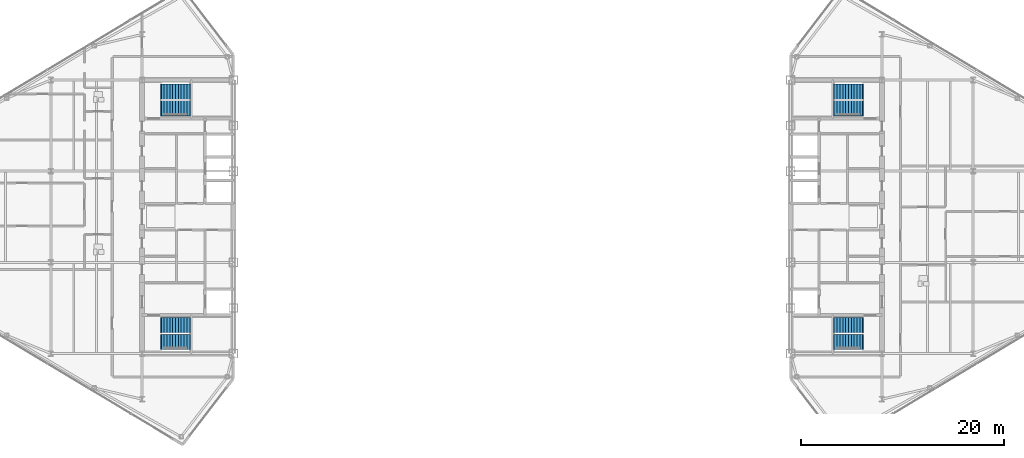
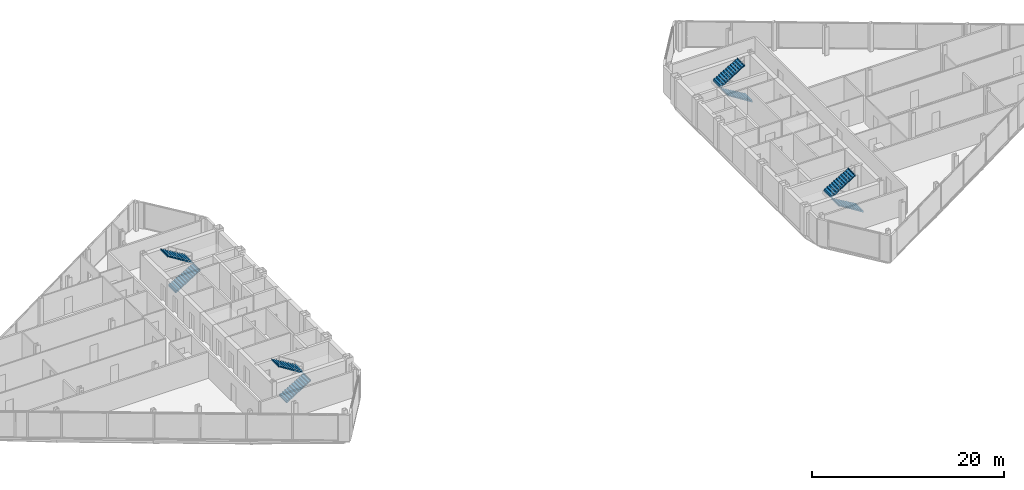
# One storey, part 24 of 26: 8 stair flights, 4 elements without a shape of their own.
"""IFC4 building model written with IfcOpenShell, lengths in metres."""

from ifc_helpers import new_model, si_unit, direction, frame, origin, place, context, subcontext, project, spatial, polyline, outline, extrude, material, type_object, element, aggregate, save


model = new_model("IFC4")

# Units and contexts
model_context = context("Model", 3, precision=1e-05, world=origin(), true_north=direction((0.0, 1.0)))
body_context = subcontext(model_context, "Body", "Model", "MODEL_VIEW")
ifc_project = project(units=[si_unit("LENGTHUNIT", "METRE"), si_unit("AREAUNIT", "SQUARE_METRE"), si_unit("VOLUMEUNIT", "CUBIC_METRE"), si_unit("PLANEANGLEUNIT", "RADIAN"), si_unit("MASSUNIT", "GRAM", prefix="KILO")], contexts=[model_context])

# Site, building, storey
site_placement = place(None, origin())
site = spatial("IfcSite", under=ifc_project, at=site_placement, CompositionType="ELEMENT")
building_placement = place(site_placement, origin())
building = spatial("IfcBuilding", under=site, at=building_placement, Name="Seokmaru Belvedere", CompositionType="ELEMENT")
storey_placement = place(building_placement, frame((0.0, 0.0, 221.10009765625)))
storey = spatial("IfcBuildingStorey", under=building, at=storey_placement, Name="L59", CompositionType="ELEMENT", Elevation=221.10009765625)

# Stair, stair flights
ifc_material = material(Name="Concrete C40 (40 MPa)", Category="concrete")
stair_type = type_object("IfcStairType", Name="Typical Tower Core Dog-Leg Stair 3600", PredefinedType="TWO_STRAIGHT_RUN_STAIR", material=ifc_material)
stair_1_placement = place(storey_placement, origin())
stair_1 = element("IfcStair", 1, at=stair_1_placement, inside=storey, type_object=stair_type, Name="L59 Special Escape Stair ST-W1", PredefinedType="TWO_STRAIGHT_RUN_STAIR")
stair_flight_type = type_object("IfcStairFlightType", Name="Reinforced Concrete Stair Flight 1500", PredefinedType="STRAIGHT", material=ifc_material)
stair_flight_1_placement = place(storey_placement, frame((-34.60009765625, -12.35009765625, 0.0), z_axis=(0.0, 0.0, 1.0), x_axis=(1.0, 0.0, 0.0)))
stair_flight_1 = element("IfcStairFlight", 2, at=stair_flight_1_placement, type_object=stair_flight_type, Name="ST-W1 flight 1", NumberOfRisers=11, NumberOfTreads=10, PredefinedType="STRAIGHT", RiserHeight=0.163636364, TreadLength=0.28, context=body_context, shape_type="SweptSolid", body=[
    extrude(outline(polyline([(-0.080078125, 0.0), (0.0, 0.16357421875), (0.280029296875, 0.16357421875), (0.280029296875, 0.327392578125), (0.56005859375, 0.327392578125), (0.56005859375, 0.490966796875), (0.840087890625, 0.490966796875), (0.840087890625, 0.654541015625), (1.1201171875, 0.654541015625), (1.1201171875, 0.818115234375), (1.39990234375, 0.818115234375), (1.39990234375, 0.98193359375), (1.679931640625, 0.98193359375), (1.679931640625, 1.1455078125), (1.9599609375, 1.1455078125), (1.9599609375, 1.30908203125), (2.239990234375, 1.30908203125), (2.239990234375, 1.47265625), (2.52001953125, 1.47265625), (2.52001953125, 1.636474609375), (2.800048828125, 1.636474609375), (2.800048828125, 1.800048828125), (2.8798828125, 1.800048828125), (2.8798828125, 1.610107421875), (2.800048828125, 1.610107421875), (0.0, -0.159912109375), (-0.080078125, -0.159912109375), (-0.080078125, 0.0)])), frame((0.0, 0.75, 0.0), z_axis=(0.0, -1.0, 0.0), x_axis=(1.0, 0.0, 0.0)), (0.0, 0.0, 1.0), 1.5),
])
stair_flight_2_placement = place(storey_placement, frame((-31.800048828125, -10.7099609375, 1.7998046875), z_axis=(0.0, 0.0, 1.0), x_axis=(-1.0, 0.0, 0.0)))
stair_flight_2 = element("IfcStairFlight", 3, at=stair_flight_2_placement, type_object=stair_flight_type, Name="ST-W1 flight 2", NumberOfRisers=11, NumberOfTreads=10, PredefinedType="STRAIGHT", RiserHeight=0.163636364, TreadLength=0.28, context=body_context, shape_type="SweptSolid", body=[
    extrude(outline(polyline([(-0.080078125, 0.0), (0.0, 0.16357421875), (0.280029296875, 0.16357421875), (0.280029296875, 0.327392578125), (0.56005859375, 0.327392578125), (0.56005859375, 0.490966796875), (0.840087890625, 0.490966796875), (0.840087890625, 0.654541015625), (1.1201171875, 0.654541015625), (1.1201171875, 0.818115234375), (1.39990234375, 0.818115234375), (1.39990234375, 0.98193359375), (1.679931640625, 0.98193359375), (1.679931640625, 1.1455078125), (1.9599609375, 1.1455078125), (1.9599609375, 1.30908203125), (2.239990234375, 1.30908203125), (2.239990234375, 1.47265625), (2.52001953125, 1.47265625), (2.52001953125, 1.636474609375), (2.800048828125, 1.636474609375), (2.800048828125, 1.800048828125), (2.8798828125, 1.800048828125), (2.8798828125, 1.610107421875), (2.800048828125, 1.610107421875), (0.0, -0.159912109375), (-0.080078125, -0.159912109375), (-0.080078125, 0.0)])), frame((0.0, 0.75, 0.0), z_axis=(0.0, -1.0, 0.0), x_axis=(1.0, 0.0, 0.0)), (0.0, 0.0, 1.0), 1.5),
])
aggregate(stair_1, [stair_flight_1, stair_flight_2])

stair_2_placement = place(storey_placement, origin())
stair_2 = element("IfcStair", 4, at=stair_2_placement, inside=storey, type_object=stair_type, Name="L59 Special Escape Stair ST-W2", PredefinedType="TWO_STRAIGHT_RUN_STAIR")
stair_flight_3_placement = place(storey_placement, frame((-34.60009765625, 10.7099609375, 0.0), z_axis=(0.0, 0.0, 1.0), x_axis=(1.0, 0.0, 0.0)))
stair_flight_3 = element("IfcStairFlight", 5, at=stair_flight_3_placement, type_object=stair_flight_type, Name="ST-W2 flight 1", NumberOfRisers=11, NumberOfTreads=10, PredefinedType="STRAIGHT", RiserHeight=0.163636364, TreadLength=0.28, context=body_context, shape_type="SweptSolid", body=[
    extrude(outline(polyline([(-0.080078125, 0.0), (0.0, 0.16357421875), (0.280029296875, 0.16357421875), (0.280029296875, 0.327392578125), (0.56005859375, 0.327392578125), (0.56005859375, 0.490966796875), (0.840087890625, 0.490966796875), (0.840087890625, 0.654541015625), (1.1201171875, 0.654541015625), (1.1201171875, 0.818115234375), (1.39990234375, 0.818115234375), (1.39990234375, 0.98193359375), (1.679931640625, 0.98193359375), (1.679931640625, 1.1455078125), (1.9599609375, 1.1455078125), (1.9599609375, 1.30908203125), (2.239990234375, 1.30908203125), (2.239990234375, 1.47265625), (2.52001953125, 1.47265625), (2.52001953125, 1.636474609375), (2.800048828125, 1.636474609375), (2.800048828125, 1.800048828125), (2.8798828125, 1.800048828125), (2.8798828125, 1.610107421875), (2.800048828125, 1.610107421875), (0.0, -0.159912109375), (-0.080078125, -0.159912109375), (-0.080078125, 0.0)])), frame((0.0, 0.75, 0.0), z_axis=(0.0, -1.0, 0.0), x_axis=(1.0, 0.0, 0.0)), (0.0, 0.0, 1.0), 1.5),
])
stair_flight_4_placement = place(storey_placement, frame((-31.800048828125, 12.35009765625, 1.7998046875), z_axis=(0.0, 0.0, 1.0), x_axis=(-1.0, 0.0, 0.0)))
stair_flight_4 = element("IfcStairFlight", 6, at=stair_flight_4_placement, type_object=stair_flight_type, Name="ST-W2 flight 2", NumberOfRisers=11, NumberOfTreads=10, PredefinedType="STRAIGHT", RiserHeight=0.163636364, TreadLength=0.28, context=body_context, shape_type="SweptSolid", body=[
    extrude(outline(polyline([(-0.080078125, 0.0), (0.0, 0.16357421875), (0.280029296875, 0.16357421875), (0.280029296875, 0.327392578125), (0.56005859375, 0.327392578125), (0.56005859375, 0.490966796875), (0.840087890625, 0.490966796875), (0.840087890625, 0.654541015625), (1.1201171875, 0.654541015625), (1.1201171875, 0.818115234375), (1.39990234375, 0.818115234375), (1.39990234375, 0.98193359375), (1.679931640625, 0.98193359375), (1.679931640625, 1.1455078125), (1.9599609375, 1.1455078125), (1.9599609375, 1.30908203125), (2.239990234375, 1.30908203125), (2.239990234375, 1.47265625), (2.52001953125, 1.47265625), (2.52001953125, 1.636474609375), (2.800048828125, 1.636474609375), (2.800048828125, 1.800048828125), (2.8798828125, 1.800048828125), (2.8798828125, 1.610107421875), (2.800048828125, 1.610107421875), (0.0, -0.159912109375), (-0.080078125, -0.159912109375), (-0.080078125, 0.0)])), frame((0.0, 0.75, 0.0), z_axis=(0.0, -1.0, 0.0), x_axis=(1.0, 0.0, 0.0)), (0.0, 0.0, 1.0), 1.5),
])
aggregate(stair_2, [stair_flight_3, stair_flight_4])

stair_3_placement = place(storey_placement, origin())
stair_3 = element("IfcStair", 7, at=stair_3_placement, inside=storey, type_object=stair_type, Name="L59 Special Escape Stair ST-E1", PredefinedType="TWO_STRAIGHT_RUN_STAIR")
stair_flight_5_placement = place(storey_placement, frame((34.60009765625, -12.35009765625, 0.0), z_axis=(0.0, 0.0, 1.0), x_axis=(-1.0, 0.0, 0.0)))
stair_flight_5 = element("IfcStairFlight", 8, at=stair_flight_5_placement, type_object=stair_flight_type, Name="ST-E1 flight 1", NumberOfRisers=11, NumberOfTreads=10, PredefinedType="STRAIGHT", RiserHeight=0.163636364, TreadLength=0.28, context=body_context, shape_type="SweptSolid", body=[
    extrude(outline(polyline([(-0.080078125, 0.0), (0.0, 0.16357421875), (0.280029296875, 0.16357421875), (0.280029296875, 0.327392578125), (0.56005859375, 0.327392578125), (0.56005859375, 0.490966796875), (0.840087890625, 0.490966796875), (0.840087890625, 0.654541015625), (1.1201171875, 0.654541015625), (1.1201171875, 0.818115234375), (1.39990234375, 0.818115234375), (1.39990234375, 0.98193359375), (1.679931640625, 0.98193359375), (1.679931640625, 1.1455078125), (1.9599609375, 1.1455078125), (1.9599609375, 1.30908203125), (2.239990234375, 1.30908203125), (2.239990234375, 1.47265625), (2.52001953125, 1.47265625), (2.52001953125, 1.636474609375), (2.800048828125, 1.636474609375), (2.800048828125, 1.800048828125), (2.8798828125, 1.800048828125), (2.8798828125, 1.610107421875), (2.800048828125, 1.610107421875), (0.0, -0.159912109375), (-0.080078125, -0.159912109375), (-0.080078125, 0.0)])), frame((0.0, 0.75, 0.0), z_axis=(0.0, -1.0, 0.0), x_axis=(1.0, 0.0, 0.0)), (0.0, 0.0, 1.0), 1.5),
])
stair_flight_6_placement = place(storey_placement, frame((31.800048828125, -10.7099609375, 1.7998046875), z_axis=(0.0, 0.0, 1.0), x_axis=(1.0, 0.0, 0.0)))
stair_flight_6 = element("IfcStairFlight", 9, at=stair_flight_6_placement, type_object=stair_flight_type, Name="ST-E1 flight 2", NumberOfRisers=11, NumberOfTreads=10, PredefinedType="STRAIGHT", RiserHeight=0.163636364, TreadLength=0.28, context=body_context, shape_type="SweptSolid", body=[
    extrude(outline(polyline([(-0.080078125, 0.0), (0.0, 0.16357421875), (0.280029296875, 0.16357421875), (0.280029296875, 0.327392578125), (0.56005859375, 0.327392578125), (0.56005859375, 0.490966796875), (0.840087890625, 0.490966796875), (0.840087890625, 0.654541015625), (1.1201171875, 0.654541015625), (1.1201171875, 0.818115234375), (1.39990234375, 0.818115234375), (1.39990234375, 0.98193359375), (1.679931640625, 0.98193359375), (1.679931640625, 1.1455078125), (1.9599609375, 1.1455078125), (1.9599609375, 1.30908203125), (2.239990234375, 1.30908203125), (2.239990234375, 1.47265625), (2.52001953125, 1.47265625), (2.52001953125, 1.636474609375), (2.800048828125, 1.636474609375), (2.800048828125, 1.800048828125), (2.8798828125, 1.800048828125), (2.8798828125, 1.610107421875), (2.800048828125, 1.610107421875), (0.0, -0.159912109375), (-0.080078125, -0.159912109375), (-0.080078125, 0.0)])), frame((0.0, 0.75, 0.0), z_axis=(0.0, -1.0, 0.0), x_axis=(1.0, 0.0, 0.0)), (0.0, 0.0, 1.0), 1.5),
])
aggregate(stair_3, [stair_flight_5, stair_flight_6])

stair_4_placement = place(storey_placement, origin())
stair_4 = element("IfcStair", 10, at=stair_4_placement, inside=storey, type_object=stair_type, Name="L59 Special Escape Stair ST-E2", PredefinedType="TWO_STRAIGHT_RUN_STAIR")
stair_flight_7_placement = place(storey_placement, frame((34.60009765625, 10.7099609375, 0.0), z_axis=(0.0, 0.0, 1.0), x_axis=(-1.0, 0.0, 0.0)))
stair_flight_7 = element("IfcStairFlight", 11, at=stair_flight_7_placement, type_object=stair_flight_type, Name="ST-E2 flight 1", NumberOfRisers=11, NumberOfTreads=10, PredefinedType="STRAIGHT", RiserHeight=0.163636364, TreadLength=0.28, context=body_context, shape_type="SweptSolid", body=[
    extrude(outline(polyline([(-0.080078125, 0.0), (0.0, 0.16357421875), (0.280029296875, 0.16357421875), (0.280029296875, 0.327392578125), (0.56005859375, 0.327392578125), (0.56005859375, 0.490966796875), (0.840087890625, 0.490966796875), (0.840087890625, 0.654541015625), (1.1201171875, 0.654541015625), (1.1201171875, 0.818115234375), (1.39990234375, 0.818115234375), (1.39990234375, 0.98193359375), (1.679931640625, 0.98193359375), (1.679931640625, 1.1455078125), (1.9599609375, 1.1455078125), (1.9599609375, 1.30908203125), (2.239990234375, 1.30908203125), (2.239990234375, 1.47265625), (2.52001953125, 1.47265625), (2.52001953125, 1.636474609375), (2.800048828125, 1.636474609375), (2.800048828125, 1.800048828125), (2.8798828125, 1.800048828125), (2.8798828125, 1.610107421875), (2.800048828125, 1.610107421875), (0.0, -0.159912109375), (-0.080078125, -0.159912109375), (-0.080078125, 0.0)])), frame((0.0, 0.75, 0.0), z_axis=(0.0, -1.0, 0.0), x_axis=(1.0, 0.0, 0.0)), (0.0, 0.0, 1.0), 1.5),
])
stair_flight_8_placement = place(storey_placement, frame((31.800048828125, 12.35009765625, 1.7998046875), z_axis=(0.0, 0.0, 1.0), x_axis=(1.0, 0.0, 0.0)))
stair_flight_8 = element("IfcStairFlight", 12, at=stair_flight_8_placement, type_object=stair_flight_type, Name="ST-E2 flight 2", NumberOfRisers=11, NumberOfTreads=10, PredefinedType="STRAIGHT", RiserHeight=0.163636364, TreadLength=0.28, context=body_context, shape_type="SweptSolid", body=[
    extrude(outline(polyline([(-0.080078125, 0.0), (0.0, 0.16357421875), (0.280029296875, 0.16357421875), (0.280029296875, 0.327392578125), (0.56005859375, 0.327392578125), (0.56005859375, 0.490966796875), (0.840087890625, 0.490966796875), (0.840087890625, 0.654541015625), (1.1201171875, 0.654541015625), (1.1201171875, 0.818115234375), (1.39990234375, 0.818115234375), (1.39990234375, 0.98193359375), (1.679931640625, 0.98193359375), (1.679931640625, 1.1455078125), (1.9599609375, 1.1455078125), (1.9599609375, 1.30908203125), (2.239990234375, 1.30908203125), (2.239990234375, 1.47265625), (2.52001953125, 1.47265625), (2.52001953125, 1.636474609375), (2.800048828125, 1.636474609375), (2.800048828125, 1.800048828125), (2.8798828125, 1.800048828125), (2.8798828125, 1.610107421875), (2.800048828125, 1.610107421875), (0.0, -0.159912109375), (-0.080078125, -0.159912109375), (-0.080078125, 0.0)])), frame((0.0, 0.75, 0.0), z_axis=(0.0, -1.0, 0.0), x_axis=(1.0, 0.0, 0.0)), (0.0, 0.0, 1.0), 1.5),
])
aggregate(stair_4, [stair_flight_7, stair_flight_8])

save(model, "model.ifc")
